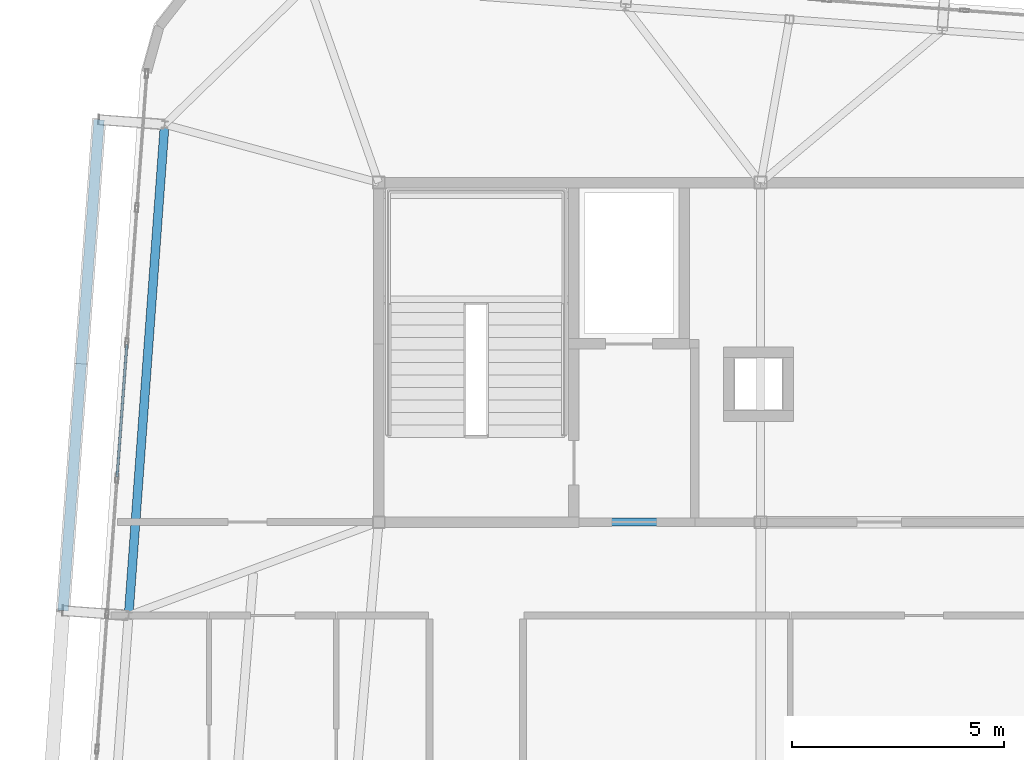
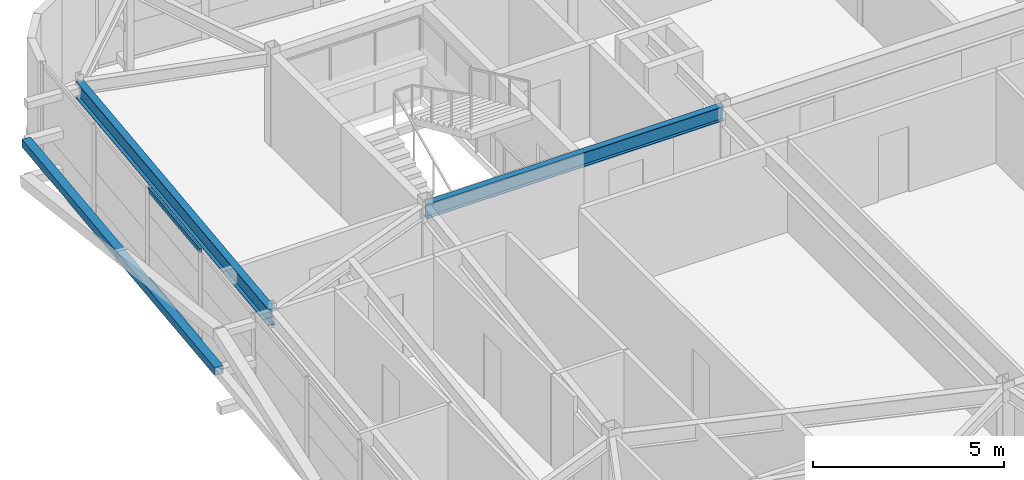
# One storey, part 16 of 42: 3 members, 2 beams, 1 element without a shape of its own.
"""IFC4 building model written with IfcOpenShell, lengths in metres."""

from ifc_helpers import new_model, si_unit, direction, frame, origin, origin_2d, place, context, subcontext, project, spatial, hollow_rectangle, i_section, extrude, source, transform, mapped, material, layer, layer_set, material_profile, profile_set, type_object, element, aggregate, save


model = new_model("IFC4")

# Units and contexts
model_context = context("Model", 3, precision=1e-05, world=origin(), true_north=direction((0.0, 1.0)))
body_context = subcontext(model_context, "Body", "Model", "MODEL_VIEW")
ifc_project = project(units=[si_unit("LENGTHUNIT", "METRE"), si_unit("AREAUNIT", "SQUARE_METRE"), si_unit("VOLUMEUNIT", "CUBIC_METRE"), si_unit("PLANEANGLEUNIT", "RADIAN"), si_unit("MASSUNIT", "GRAM", prefix="KILO")], contexts=[model_context])

# Site, building, storey
site_placement = place(None, origin())
site = spatial("IfcSite", under=ifc_project, at=site_placement, CompositionType="ELEMENT")
building_placement = place(site_placement, origin())
building = spatial("IfcBuilding", under=site, at=building_placement, Name="Taldren Reach Tower", CompositionType="ELEMENT")
storey_placement = place(building_placement, frame((0.0, 0.0, 224.0)))
storey = spatial("IfcBuildingStorey", under=building, at=storey_placement, Name="L68", CompositionType="ELEMENT", Elevation=224.0)

# Beams
ifc_material_1 = material(Name="Steel Gr 350 (350PLUS)", Category="steel")
ifc_material_profile_1 = material_profile(ifc_material_1, i_section(OverallWidth=0.19091796875, OverallDepth=0.4599609375, WebThickness=0.010009765625, FlangeThickness=0.01611328125, at=origin_2d()), Name="460UB82.1")
ifc_profile_set_1 = profile_set([ifc_material_profile_1], Name="Steel Gr 350 (350PLUS)")
beam_type_1 = type_object("IfcBeamType", Name="BM-UB460A", PredefinedType="BEAM", material=ifc_profile_set_1)
shared_shape_1 = source(origin(), body_context, "Body", "SweptSolid", [
    extrude(i_section(OverallWidth=0.19091796875, OverallDepth=0.4599609375, WebThickness=0.010009765625, FlangeThickness=0.01611328125, at=origin_2d()), origin(), (0.0, 0.0, 1.0), 9.0),
])
beam_1_placement = place(storey_placement, frame((19.0, 24.0, 2.699951171875), z_axis=(1.0, 0.0, 0.0), x_axis=(0.0, 1.0, 0.0)))
element("IfcBeam", 1, at=beam_1_placement, inside=storey, type_object=beam_type_1, Name="Core-spine girder L68-SP01", PredefinedType="BEAM", context=body_context, shape_type="MappedRepresentation", body=[
    mapped(shared_shape_1, transform((0.0, 0.0, 0.0), scale=1.0)),
])
ifc_material_profile_2 = material_profile(ifc_material_1, i_section(OverallWidth=0.208984375, OverallDepth=0.528076171875, WebThickness=0.009521484375, FlangeThickness=0.01318359375, at=origin_2d()), Name="530UB82.0")
ifc_profile_set_2 = profile_set([ifc_material_profile_2], Name="Steel Gr 350 (350PLUS)")
beam_type_2 = type_object("IfcBeamType", Name="SP-UB530B", PredefinedType="SPANDREL", material=ifc_profile_set_2)
shared_shape_2 = source(origin(), body_context, "Body", "SweptSolid", [
    extrude(i_section(OverallWidth=0.208984375, OverallDepth=0.528076171875, WebThickness=0.009521484375, FlangeThickness=0.01318359375, at=origin_2d()), origin(), (0.0, 0.0, 1.0), 11.60009765625),
])
beam_2_placement = place(storey_placement, frame((13.958251953125, 33.369140625, 2.666015625), z_axis=(-0.073242167855, -0.997314185625, 0.0), x_axis=(0.997314185625, -0.073242167855, 0.0)))
element("IfcBeam", 2, at=beam_2_placement, inside=storey, type_object=beam_type_2, Name="Perimeter spandrel B5 W3-W2 L68", PredefinedType="SPANDREL", context=body_context, shape_type="MappedRepresentation", body=[
    mapped(shared_shape_2, transform((0.0, 0.0, 0.0), scale=1.0)),
])

# Member
ifc_material_2 = material(Name="Steel Gr 350 (C350L0)", Category="steel")
ifc_material_profile_3 = material_profile(ifc_material_2, hollow_rectangle(XDim=0.25, YDim=0.25, WallThickness=0.010009765625, at=origin_2d()), Name="250x250x10.0SHS")
ifc_profile_set_3 = profile_set([ifc_material_profile_3], Name="Steel Gr 350 (C350L0)")
member_type_1 = type_object("IfcMemberType", Name="MB-POST250", PredefinedType="POST", material=ifc_profile_set_3)
shared_shape_3 = source(origin(), body_context, "Body", "SweptSolid", [
    extrude(hollow_rectangle(XDim=0.25, YDim=0.25, WallThickness=0.010009765625, at=origin_2d()), origin(), (0.0, 0.0, 1.0), 11.60009765625),
])
member_1_placement = place(storey_placement, frame((11.562744140625, 21.913818359375, 1.43505859375), z_axis=(0.073242167855, 0.997314185625, 0.0), x_axis=(-0.997314185625, 0.073242167855, 0.0)))
element("IfcMember", 3, at=member_1_placement, inside=storey, type_object=member_type_1, Name="Exoskeleton mid-height ring chord B5-W2 L68", PredefinedType="POST", context=body_context, shape_type="MappedRepresentation", body=[
    mapped(shared_shape_3, transform((0.0, 0.0, 0.0), scale=1.0)),
])

# Curtain wall, members
ifc_material_3 = material(Name="Aluminium and Low-E Glass Unitised System", Category="aluminium")
ifc_layer = layer(ifc_material_3, 0.159912109375)
ifc_layer_set = layer_set([ifc_layer], Name="Aluminium and Low-E Glass Unitised System")
curtain_wall_type = type_object("IfcCurtainWallType", Name="CW-SYS-6", PredefinedType="NOTDEFINED", material=ifc_layer_set)
curtain_wall_placement = place(storey_placement, origin())
curtain_wall = element("IfcCurtainWall", 4, at=curtain_wall_placement, inside=storey, type_object=curtain_wall_type, Name="Unitised curtain wall CW-L68-W", PredefinedType="NOTDEFINED")
ifc_material_4 = material(Name="Anodised Aluminium 6063-T6", Category="aluminium")
ifc_material_profile_4 = material_profile(ifc_material_4, hollow_rectangle(XDim=0.06005859375, YDim=0.135009765625, WallThickness=0.00341796875, at=origin_2d()), Name="ALU-135x60x3.5RHS")
ifc_profile_set_4 = profile_set([ifc_material_profile_4], Name="Anodised Aluminium 6063-T6")
member_type_2 = type_object("IfcMemberType", Name="CW-TRN-150", PredefinedType="USERDEFINED", material=ifc_profile_set_4)
shared_shape_4 = source(origin(), body_context, "Body", "SweptSolid", [
    extrude(hollow_rectangle(XDim=0.06005859375, YDim=0.135009765625, WallThickness=0.00341796875, at=origin_2d()), origin(), (0.0, 0.0, 1.0), 3.125),
])
member_2_placement = place(storey_placement, frame((13.06591796875, 28.18310546875, 0.030029296875), z_axis=(-0.073201175928, -0.997317195201, 0.0), x_axis=(0.997317195201, -0.073201175928, 0.0)))
member_2 = element("IfcMember", 5, at=member_2_placement, type_object=member_type_2, Name="CW-6 transom 3.1", ObjectType="TRANSOM", PredefinedType="USERDEFINED", context=body_context, shape_type="MappedRepresentation", body=[
    mapped(shared_shape_4, transform((0.0, 0.0, 0.0), scale=1.0)),
])
member_3_placement = place(storey_placement, frame((13.06591796875, 28.18310546875, 2.89990234375), z_axis=(-0.073201175928, -0.997317195201, 0.0), x_axis=(0.997317195201, -0.073201175928, 0.0)))
member_3 = element("IfcMember", 6, at=member_3_placement, type_object=member_type_2, Name="CW-6 transom 3.2", ObjectType="TRANSOM", PredefinedType="USERDEFINED", context=body_context, shape_type="MappedRepresentation", body=[
    mapped(shared_shape_4, transform((0.0, 0.0, 0.0), scale=1.0)),
])
aggregate(curtain_wall, [member_2, member_3])

save(model, "model.ifc")
